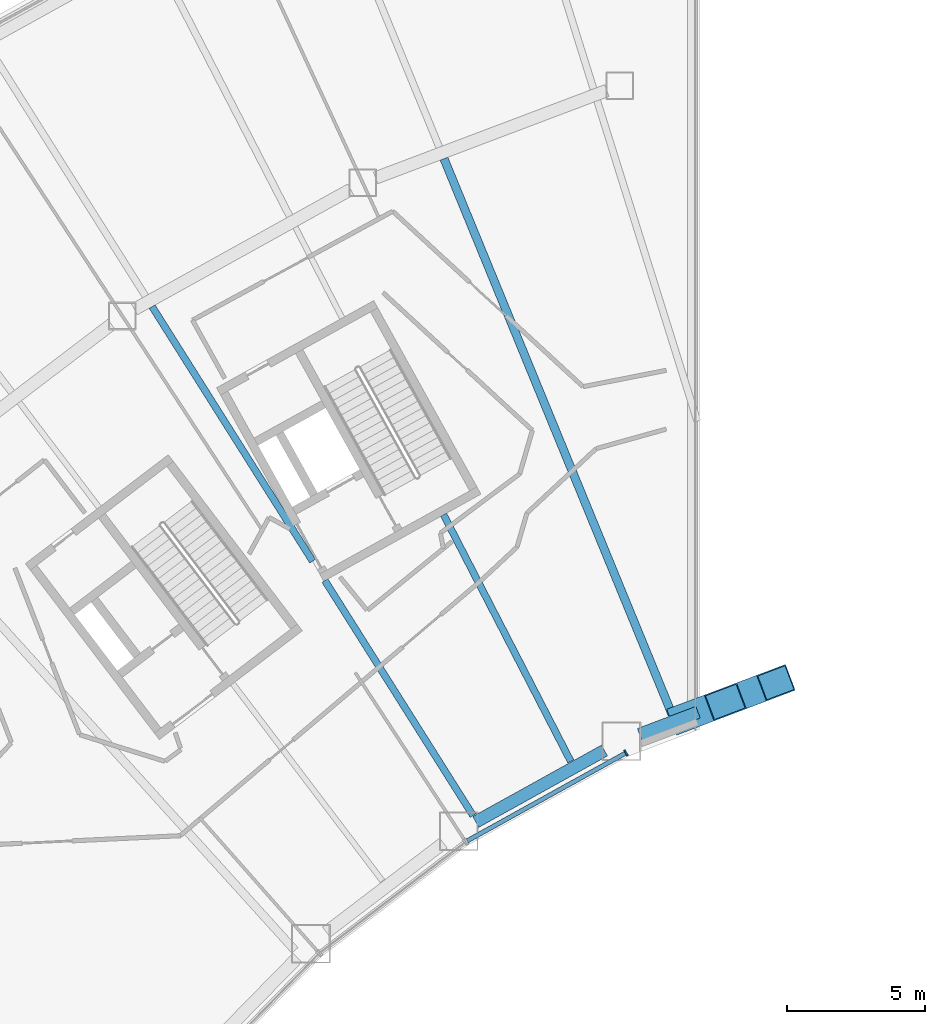
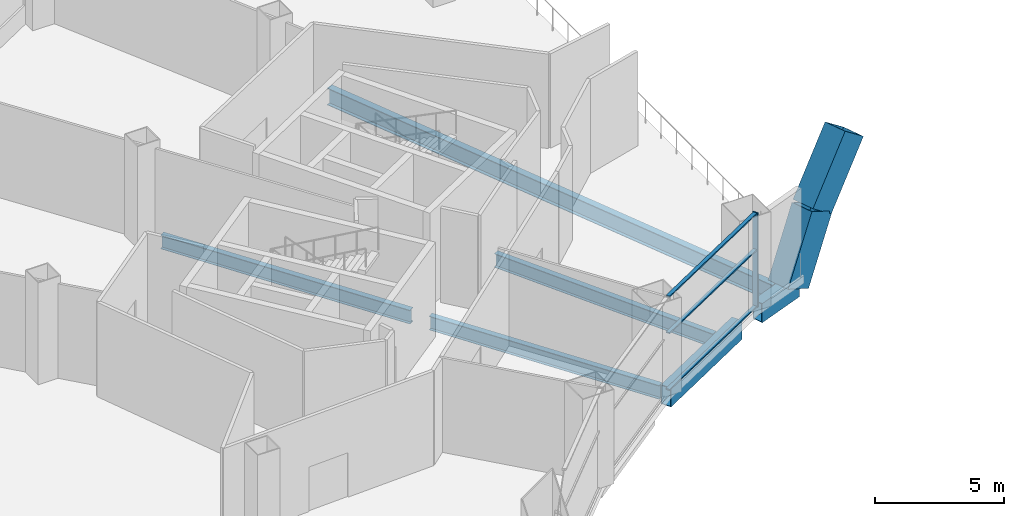
# One storey, part 5 of 20: 8 beams, 4 members, 1 element without a shape of its own.
"""IFC4 building model written with IfcOpenShell, lengths in metres."""

from ifc_helpers import new_model, si_unit, direction, frame, origin, origin_2d, place, context, subcontext, project, spatial, rectangle, hollow_rectangle, i_section, extrude, material, layer, layer_set, material_profile, profile_set, type_object, element, aggregate, save


model = new_model("IFC4")

# Units and contexts
model_context = context("Model", 3, precision=1e-05, world=origin(), true_north=direction((0.0, 1.0)))
body_context = subcontext(model_context, "Body", "Model", "MODEL_VIEW")
ifc_project = project(units=[si_unit("LENGTHUNIT", "METRE"), si_unit("AREAUNIT", "SQUARE_METRE"), si_unit("VOLUMEUNIT", "CUBIC_METRE"), si_unit("PLANEANGLEUNIT", "RADIAN"), si_unit("MASSUNIT", "GRAM", prefix="KILO")], contexts=[model_context])

# Site, building, storey
site_placement = place(None, origin())
site = spatial("IfcSite", under=ifc_project, at=site_placement, CompositionType="ELEMENT")
building_placement = place(site_placement, origin())
building = spatial("IfcBuilding", under=site, at=building_placement, Name="Tuul Gate Civic Tower", CompositionType="ELEMENT")
storey_placement = place(building_placement, frame((0.0, 0.0, 12.300048828125)))
storey = spatial("IfcBuildingStorey", under=building, at=storey_placement, Name="Level 02", CompositionType="ELEMENT", Elevation=12.300048828125)

# Curtain wall, members
ifc_material_1 = material(Name="Aluminium", Category="aluminium")
ifc_layer = layer(ifc_material_1, 0.199951171875)
ifc_layer_set = layer_set([ifc_layer], Name="Aluminium")
curtain_wall_type = type_object("IfcCurtainWallType", Name="Curtain wall CW6", PredefinedType="NOTDEFINED", material=ifc_layer_set)
curtain_wall_placement = place(storey_placement, origin())
curtain_wall = element("IfcCurtainWall", 1, at=curtain_wall_placement, inside=storey, type_object=curtain_wall_type, Name="Curtain wall CW6", PredefinedType="NOTDEFINED")
ifc_material_2 = material(Name="Aluminium", Category="aluminium")
ifc_material_profile_1 = material_profile(ifc_material_2, rectangle(XDim=0.239990234375, YDim=0.06005859375, at=origin_2d()), Name="CW6 mullion")
ifc_profile_set_1 = profile_set([ifc_material_profile_1], Name="Aluminium")
member_type_1 = type_object("IfcMemberType", Name="CW6 mullion", PredefinedType="MULLION", material=ifc_profile_set_1)
member_1_placement = place(storey_placement, frame((-19.394287109375, -18.20751953125, 0.0), z_axis=(0.0, 0.0, 1.0), x_axis=(-0.484724404523, 0.87466693756, 0.0)))
member_1 = element("IfcMember", 2, at=member_1_placement, type_object=member_type_1, Name="Mullion", PredefinedType="MULLION", context=body_context, shape_type="SweptSolid", body=[
    extrude(rectangle(XDim=0.239990234375, YDim=0.06005859375, at=origin_2d()), origin(), (0.0, 0.0, 1.0), 4.449951171875),
])
ifc_material_3 = material(Name="Aluminium", Category="aluminium")
ifc_material_profile_2 = material_profile(ifc_material_3, rectangle(XDim=0.159912109375, YDim=0.06005859375, at=origin_2d()), Name="CW6 transom")
ifc_profile_set_2 = profile_set([ifc_material_profile_2], Name="Aluminium")
member_type_2 = type_object("IfcMemberType", Name="CW6 transom", PredefinedType="USERDEFINED", material=ifc_profile_set_2)
member_2_placement = place(storey_placement, frame((-25.138427734375, -21.390869140625, 0.030029296875), z_axis=(0.874674687006, 0.484710420676, 0.0), x_axis=(-0.484710420676, 0.874674687006, 0.0)))
member_2 = element("IfcMember", 3, at=member_2_placement, type_object=member_type_2, Name="Transom", ObjectType="TRANSOM", PredefinedType="USERDEFINED", context=body_context, shape_type="SweptSolid", body=[
    extrude(rectangle(XDim=0.159912109375, YDim=0.06005859375, at=origin_2d()), origin(), (0.0, 0.0, 1.0), 6.537353515625),
])
member_3_placement = place(storey_placement, frame((-25.138427734375, -21.390869140625, 2.699951171875), z_axis=(0.874674687006, 0.484710420676, 0.0), x_axis=(-0.484710420676, 0.874674687006, 0.0)))
member_3 = element("IfcMember", 4, at=member_3_placement, type_object=member_type_2, Name="Transom", ObjectType="TRANSOM", PredefinedType="USERDEFINED", context=body_context, shape_type="SweptSolid", body=[
    extrude(rectangle(XDim=0.159912109375, YDim=0.06005859375, at=origin_2d()), origin(), (0.0, 0.0, 1.0), 6.537353515625),
])
member_4_placement = place(storey_placement, frame((-25.138427734375, -21.390869140625, 4.419921875), z_axis=(0.874674687006, 0.484710420676, 0.0), x_axis=(-0.484710420676, 0.874674687006, 0.0)))
member_4 = element("IfcMember", 5, at=member_4_placement, type_object=member_type_2, Name="Transom", ObjectType="TRANSOM", PredefinedType="USERDEFINED", context=body_context, shape_type="SweptSolid", body=[
    extrude(rectangle(XDim=0.159912109375, YDim=0.06005859375, at=origin_2d()), origin(), (0.0, 0.0, 1.0), 6.537353515625),
])
aggregate(curtain_wall, [member_1, member_2, member_3, member_4])

# Beams
ifc_material_4 = material(Name="Steel S460", Category="steel")
ifc_material_profile_3 = material_profile(ifc_material_4, hollow_rectangle(XDim=1.0, YDim=1.39990234375, WallThickness=0.0400390625, at=origin_2d()), Name="BOX1400x1000x40")
ifc_profile_set_3 = profile_set([ifc_material_profile_3], Name="Steel S460")
beam_type_1 = type_object("IfcBeamType", Name="STR-ARCH TRUSS CHORD-BOX1400x1000x40", PredefinedType="BEAM", material=ifc_profile_set_3)
beam_1_placement = place(storey_placement, frame((-17.158935546875, -16.876220703125, -0.5390625), z_axis=(0.422185851868, 0.159629062653, 0.892343918475), x_axis=(-0.35366545796, 0.935371981538, 0.0)))
element("IfcBeam", 6, at=beam_1_placement, inside=storey, type_object=beam_type_1, Name="Arch rib", PredefinedType="BEAM", context=body_context, shape_type="SweptSolid", body=[
    extrude(hollow_rectangle(XDim=1.0, YDim=1.39990234375, WallThickness=0.0400390625, at=origin_2d()), origin(), (0.0, 0.0, 1.0), 3.21630859375),
])
beam_2_placement = place(storey_placement, frame((-15.801025390625, -16.36279296875, 2.3310546875), z_axis=(0.564077998383, 0.213258166499, 0.797707318609), x_axis=(-0.353635692756, 0.935383235262, 0.0)))
element("IfcBeam", 7, at=beam_2_placement, inside=storey, type_object=beam_type_1, Name="Arch rib", PredefinedType="BEAM", context=body_context, shape_type="SweptSolid", body=[
    extrude(hollow_rectangle(XDim=1.0, YDim=1.39990234375, WallThickness=0.0400390625, at=origin_2d()), origin(), (0.0, 0.0, 1.0), 3.247802734375),
])
ifc_material_5 = material(Name="Steel S355", Category="steel")
ifc_material_profile_4 = material_profile(ifc_material_5, i_section(OverallWidth=0.25, OverallDepth=0.64990234375, WebThickness=0.011962890625, FlangeThickness=0.02001953125, at=origin_2d()), Name="PG650x250x12x20")
ifc_profile_set_4 = profile_set([ifc_material_profile_4], Name="Steel S355")
beam_type_2 = type_object("IfcBeamType", Name="STR-FLOOR BEAM-PG650x250x12x20", PredefinedType="BEAM", material=ifc_profile_set_4)
beam_3_placement = place(storey_placement, frame((-21.390380859375, -18.512939453125, -0.675048828125), z_axis=(-0.458274716769, 0.88881060073, 0.0), x_axis=(-0.88881060073, -0.458274716769, 0.0)))
element("IfcBeam", 8, at=beam_3_placement, inside=storey, type_object=beam_type_2, Name="Floor beam", PredefinedType="BEAM", context=body_context, shape_type="SweptSolid", body=[
    extrude(i_section(OverallWidth=0.25, OverallDepth=0.64990234375, WebThickness=0.011962890625, FlangeThickness=0.02001953125, at=origin_2d()), origin(), (0.0, 0.0, 1.0), 10.03369140625),
])
beam_4_placement = place(storey_placement, frame((-24.9248046875, -20.47265625, -0.675048828125), z_axis=(-0.53338296173, 0.845873877204, 0.0), x_axis=(-0.845873877204, -0.53338296173, 0.0)))
element("IfcBeam", 9, at=beam_4_placement, inside=storey, type_object=beam_type_2, Name="Floor beam", PredefinedType="BEAM", context=body_context, shape_type="SweptSolid", body=[
    extrude(i_section(OverallWidth=0.25, OverallDepth=0.64990234375, WebThickness=0.011962890625, FlangeThickness=0.02001953125, at=origin_2d()), origin(), (0.0, 0.0, 1.0), 10.045654296875),
])
beam_5_placement = place(storey_placement, frame((-30.72509765625, -11.2744140625, -0.675048828125), z_axis=(-0.533383609524, 0.845873468724, 0.0), x_axis=(-0.845873468724, -0.533383609524, 0.0)))
element("IfcBeam", 10, at=beam_5_placement, inside=storey, type_object=beam_type_2, Name="Floor beam", PredefinedType="BEAM", context=body_context, shape_type="SweptSolid", body=[
    extrude(i_section(OverallWidth=0.25, OverallDepth=0.64990234375, WebThickness=0.011962890625, FlangeThickness=0.02001953125, at=origin_2d()), origin(), (0.0, 0.0, 1.0), 10.885498046875),
])
ifc_material_6 = material(Name="Steel S355", Category="steel")
ifc_material_profile_5 = material_profile(ifc_material_6, i_section(OverallWidth=0.300048828125, OverallDepth=0.800048828125, WebThickness=0.013916015625, FlangeThickness=0.02490234375, at=origin_2d()), Name="PG800x300x14x25")
ifc_profile_set_5 = profile_set([ifc_material_profile_5], Name="Steel S355")
beam_type_3 = type_object("IfcBeamType", Name="STR-FLOOR BEAM-PG800x300x14x25", PredefinedType="BEAM", material=ifc_profile_set_5)
beam_6_placement = place(storey_placement, frame((-17.722900390625, -16.822021484375, -0.75), z_axis=(-0.379711671586, 0.925104884033, 0.0), x_axis=(-0.925104884033, -0.379711671586, 0.0)))
element("IfcBeam", 11, at=beam_6_placement, inside=storey, type_object=beam_type_3, Name="Floor beam", PredefinedType="BEAM", context=body_context, shape_type="SweptSolid", body=[
    extrude(i_section(OverallWidth=0.300048828125, OverallDepth=0.800048828125, WebThickness=0.013916015625, FlangeThickness=0.02490234375, at=origin_2d()), origin(), (0.0, 0.0, 1.0), 21.7333984375),
])
ifc_material_7 = material(Name="Steel S355", Category="steel")
ifc_material_profile_6 = material_profile(ifc_material_7, hollow_rectangle(XDim=0.449951171875, YDim=0.89990234375, WallThickness=0.02490234375, at=origin_2d()), Name="BOX900x450x25")
ifc_profile_set_6 = profile_set([ifc_material_profile_6], Name="Steel S355")
beam_type_4 = type_object("IfcBeamType", Name="STR-SPANDREL BEAM-BOX900x450x25", PredefinedType="BEAM", material=ifc_profile_set_6)
beam_7_placement = place(storey_placement, frame((-24.82568359375, -20.70361328125, -0.800048828125), z_axis=(0.87456368019, 0.484910681769, 0.0), x_axis=(-0.484910681769, 0.87456368019, 0.0)))
element("IfcBeam", 12, at=beam_7_placement, inside=storey, type_object=beam_type_4, Name="Spandrel beam", PredefinedType="BEAM", context=body_context, shape_type="SweptSolid", body=[
    extrude(hollow_rectangle(XDim=0.449951171875, YDim=0.89990234375, WallThickness=0.02490234375, at=origin_2d()), origin(), (0.0, 0.0, 1.0), 5.3232421875),
])
beam_8_placement = place(storey_placement, frame((-18.9033203125, -17.535400390625, -0.800048828125), z_axis=(0.935403070101, 0.353583224213, 0.0), x_axis=(-0.353583224213, 0.935403070101, 0.0)))
element("IfcBeam", 13, at=beam_8_placement, inside=storey, type_object=beam_type_4, Name="Spandrel beam", PredefinedType="BEAM", context=body_context, shape_type="SweptSolid", body=[
    extrude(hollow_rectangle(XDim=0.449951171875, YDim=0.89990234375, WallThickness=0.02490234375, at=origin_2d()), origin(), (0.0, 0.0, 1.0), 2.26123046875),
])

save(model, "model.ifc")
